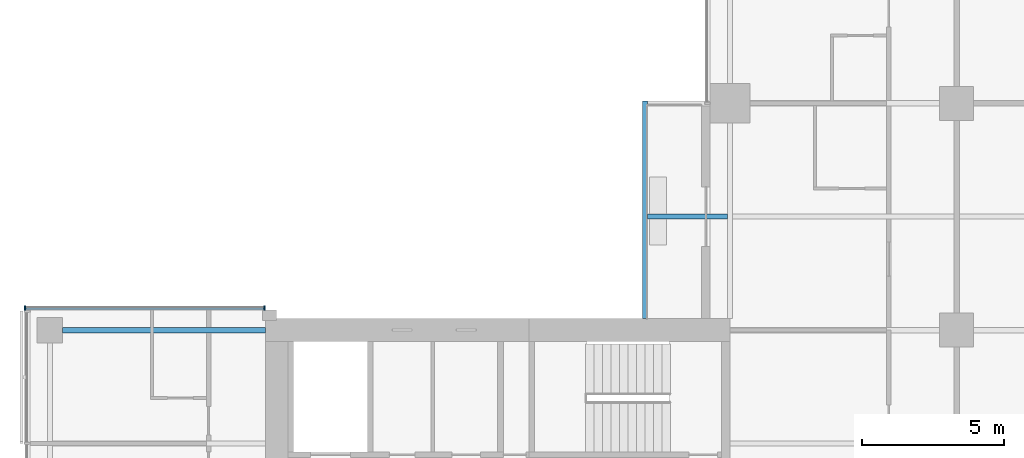
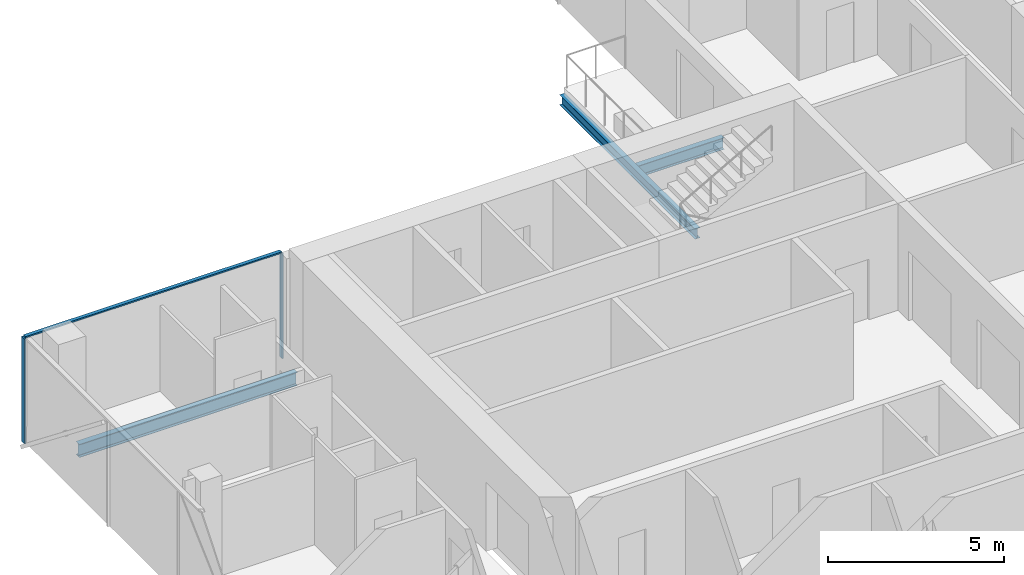
# One storey, part 8 of 27: 3 beams, 3 members, 1 element without a shape of its own.
"""IFC4 building model written with IfcOpenShell, lengths in metres."""

from ifc_helpers import new_model, si_unit, direction, frame, origin, origin_2d, place, context, subcontext, project, spatial, rectangle, i_section, extrude, material, material_profile, profile_set, type_object, element, aggregate, save


model = new_model("IFC4")

# Units and contexts
model_context = context("Model", 3, precision=1e-05, world=origin(), true_north=direction((0.0, 1.0)))
body_context = subcontext(model_context, "Body", "Model", "MODEL_VIEW")
ifc_project = project(units=[si_unit("LENGTHUNIT", "METRE"), si_unit("AREAUNIT", "SQUARE_METRE"), si_unit("VOLUMEUNIT", "CUBIC_METRE"), si_unit("PLANEANGLEUNIT", "RADIAN"), si_unit("MASSUNIT", "GRAM", prefix="KILO")], contexts=[model_context])

# Site, building, storey
site_placement = place(None, origin())
site = spatial("IfcSite", under=ifc_project, at=site_placement, CompositionType="ELEMENT")
building_placement = place(site_placement, origin())
building = spatial("IfcBuilding", under=site, at=building_placement, Name="Crosswind Convention Tower", CompositionType="ELEMENT")
storey_placement = place(building_placement, frame((0.0, 0.0, 94.199951171875)))
storey = spatial("IfcBuildingStorey", under=building, at=storey_placement, Name="L18", CompositionType="ELEMENT", Elevation=94.199951171875)

# Beams
ifc_material_1 = material(Name="Steel S355", Category="steel")
ifc_material_profile_1 = material_profile(ifc_material_1, i_section(OverallWidth=0.177734375, OverallDepth=0.406494140625, WebThickness=0.0078125, FlangeThickness=0.0126953125, FilletRadius=0.01025390625, at=origin_2d()), Name="UB 406x178x60")
ifc_profile_set_1 = profile_set([ifc_material_profile_1], Name="Steel S355")
beam_type_1 = type_object("IfcBeamType", Name="Balcony cantilever UB 406x178x60", PredefinedType="BEAM", material=ifc_profile_set_1)
beam_1_placement = place(storey_placement, frame((112.90478515625, 116.0, -0.483154296875), z_axis=(-1.0, 0.0, 0.0), x_axis=(0.0, -1.0, 0.0)))
element("IfcBeam", 1, at=beam_1_placement, inside=storey, type_object=beam_type_1, Name="B35 L18 balcony cantilever NW 4", PredefinedType="BEAM", context=body_context, shape_type="SweptSolid", body=[
    extrude(i_section(OverallWidth=0.177734375, OverallDepth=0.406494140625, WebThickness=0.0078125, FlangeThickness=0.0126953125, FilletRadius=0.01025390625, at=origin_2d()), origin(), (0.0, 0.0, 1.0), 2.8193359375),
])
ifc_material_profile_2 = material_profile(ifc_material_1, i_section(OverallWidth=0.1708984375, OverallDepth=0.35205078125, WebThickness=0.0068359375, FlangeThickness=0.009765625, FilletRadius=0.01025390625, at=origin_2d()), Name="UB 356x171x45")
ifc_profile_set_2 = profile_set([ifc_material_profile_2], Name="Steel S355")
beam_type_2 = type_object("IfcBeamType", Name="Balcony edge beam UB 356x171x45", PredefinedType="BEAM", material=ifc_profile_set_2)
beam_2_placement = place(storey_placement, frame((110.0, 112.39990234375, -0.4560546875), z_axis=(0.0, 1.0, 0.0), x_axis=(-1.0, 0.0, 0.0)))
element("IfcBeam", 2, at=beam_2_placement, inside=storey, type_object=beam_type_2, Name="B37 L18 balcony edge beam NW 6", PredefinedType="BEAM", context=body_context, shape_type="SweptSolid", body=[
    extrude(i_section(OverallWidth=0.1708984375, OverallDepth=0.35205078125, WebThickness=0.0068359375, FlangeThickness=0.009765625, FilletRadius=0.01025390625, at=origin_2d()), origin(), (0.0, 0.0, 1.0), 7.68896484375),
])
ifc_material_profile_3 = material_profile(ifc_material_1, i_section(OverallWidth=0.1904296875, OverallDepth=0.457275390625, WebThickness=0.009033203125, FlangeThickness=0.014404296875, FilletRadius=0.01025390625, at=origin_2d()), Name="UB 457x191x75")
ifc_profile_set_3 = profile_set([ifc_material_profile_3], Name="Steel S355")
beam_type_3 = type_object("IfcBeamType", Name="Edge beam UB 457x191x75", PredefinedType="SPANDREL", material=ifc_profile_set_3)
beam_3_placement = place(storey_placement, frame((89.449951171875, 112.0, -0.508544921875), z_axis=(1.0, 0.0, 0.0), x_axis=(0.0, 1.0, 0.0)))
element("IfcBeam", 3, at=beam_3_placement, inside=storey, type_object=beam_type_3, Name="B17 L18 edge beam 5", PredefinedType="SPANDREL", context=body_context, shape_type="SweptSolid", body=[
    extrude(i_section(OverallWidth=0.1904296875, OverallDepth=0.457275390625, WebThickness=0.009033203125, FlangeThickness=0.014404296875, FilletRadius=0.01025390625, at=origin_2d()), origin(), (0.0, 0.0, 1.0), 7.150146484375),
])

# Curtain wall, members
ifc_material_2 = material(Name="Aluminium unitised curtain wall", Category="aluminium")
curtain_wall_type = type_object("IfcCurtainWallType", Name="CORE END SLOT WALL 160", PredefinedType="USERDEFINED", material=ifc_material_2)
curtain_wall_placement = place(storey_placement, origin())
curtain_wall = element("IfcCurtainWall", 4, at=curtain_wall_placement, inside=storey, type_object=curtain_wall_type, Name="CW6 L18 W-N.2-1 slot", ObjectType="UNITISED", PredefinedType="USERDEFINED")
ifc_material_3 = material(Name="Aluminium mullion", Category="aluminium")
ifc_material_profile_4 = material_profile(ifc_material_3, rectangle(XDim=0.159912109375, YDim=0.050048828125, at=origin_2d()), Name="AL 160X50")
ifc_profile_set_4 = profile_set([ifc_material_profile_4], Name="Aluminium mullion")
member_type_1 = type_object("IfcMemberType", Name="MULLION 50X160", PredefinedType="MULLION", material=ifc_profile_set_4)
member_1_placement = place(storey_placement, frame((96.574951171875, 112.780029296875, -0.280029296875), z_axis=(0.0, 0.0, 1.0), x_axis=(0.0, 1.0, 0.0)))
member_1 = element("IfcMember", 5, at=member_1_placement, type_object=member_type_1, Name="CW6 mullion 1", PredefinedType="MULLION", context=body_context, shape_type="SweptSolid", body=[
    extrude(rectangle(XDim=0.159912109375, YDim=0.050048828125, at=origin_2d()), origin(), (0.0, 0.0, 1.0), 3.650146484375),
])
member_2_placement = place(storey_placement, frame((88.125, 112.780029296875, -0.280029296875), z_axis=(0.0, 0.0, 1.0), x_axis=(0.0, 1.0, 0.0)))
member_2 = element("IfcMember", 6, at=member_2_placement, type_object=member_type_1, Name="CW6 mullion 2", PredefinedType="MULLION", context=body_context, shape_type="SweptSolid", body=[
    extrude(rectangle(XDim=0.159912109375, YDim=0.050048828125, at=origin_2d()), origin(), (0.0, 0.0, 1.0), 3.650146484375),
])
ifc_material_4 = material(Name="Aluminium transom", Category="aluminium")
ifc_material_profile_5 = material_profile(ifc_material_4, rectangle(XDim=0.1201171875, YDim=0.050048828125, at=origin_2d()), Name="AL 120X50")
ifc_profile_set_5 = profile_set([ifc_material_profile_5], Name="Aluminium transom")
member_type_2 = type_object("IfcMemberType", Name="TRANSOM 50X120", PredefinedType="USERDEFINED", material=ifc_profile_set_5)
member_3_placement = place(storey_placement, frame((96.550048828125, 112.780029296875, 3.39501953125), z_axis=(-1.0, 0.0, 0.0), x_axis=(0.0, -1.0, 0.0)))
member_3 = element("IfcMember", 7, at=member_3_placement, type_object=member_type_2, Name="CW6 transom", ObjectType="TRANSOM", PredefinedType="USERDEFINED", context=body_context, shape_type="SweptSolid", body=[
    extrude(rectangle(XDim=0.1201171875, YDim=0.050048828125, at=origin_2d()), origin(), (0.0, 0.0, 1.0), 8.400146484375),
])
aggregate(curtain_wall, [member_1, member_2, member_3])

save(model, "model.ifc")
